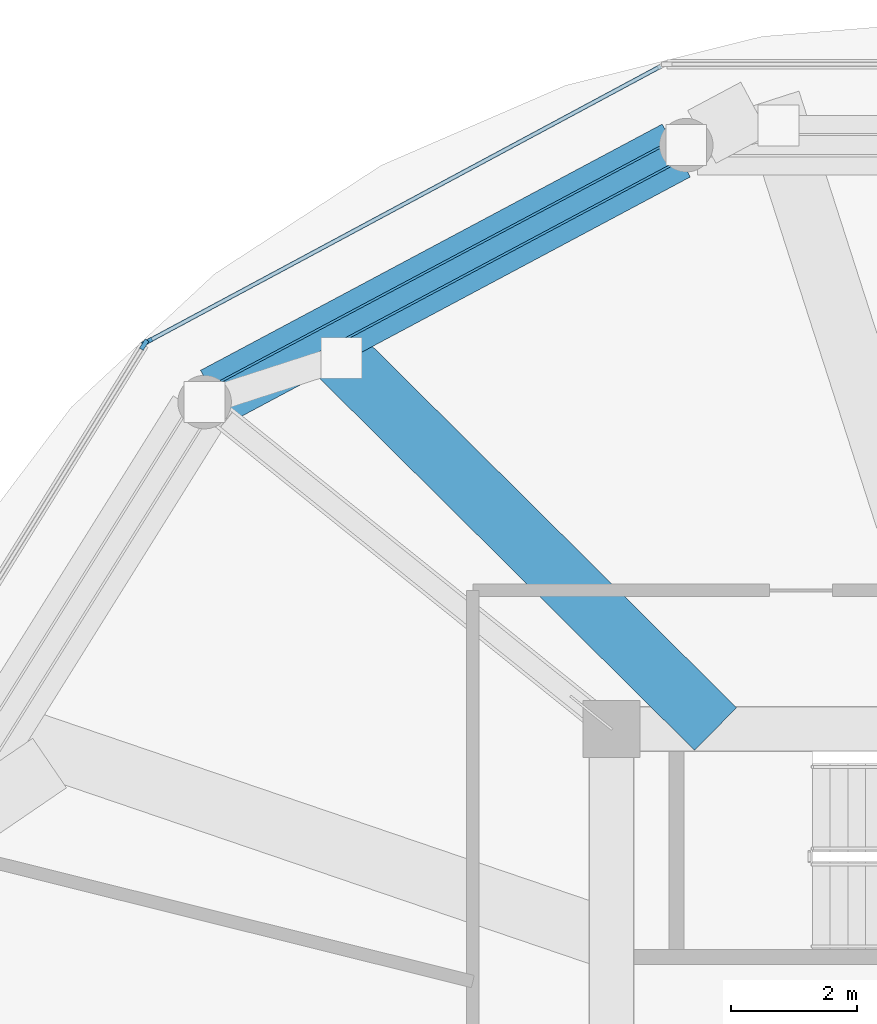
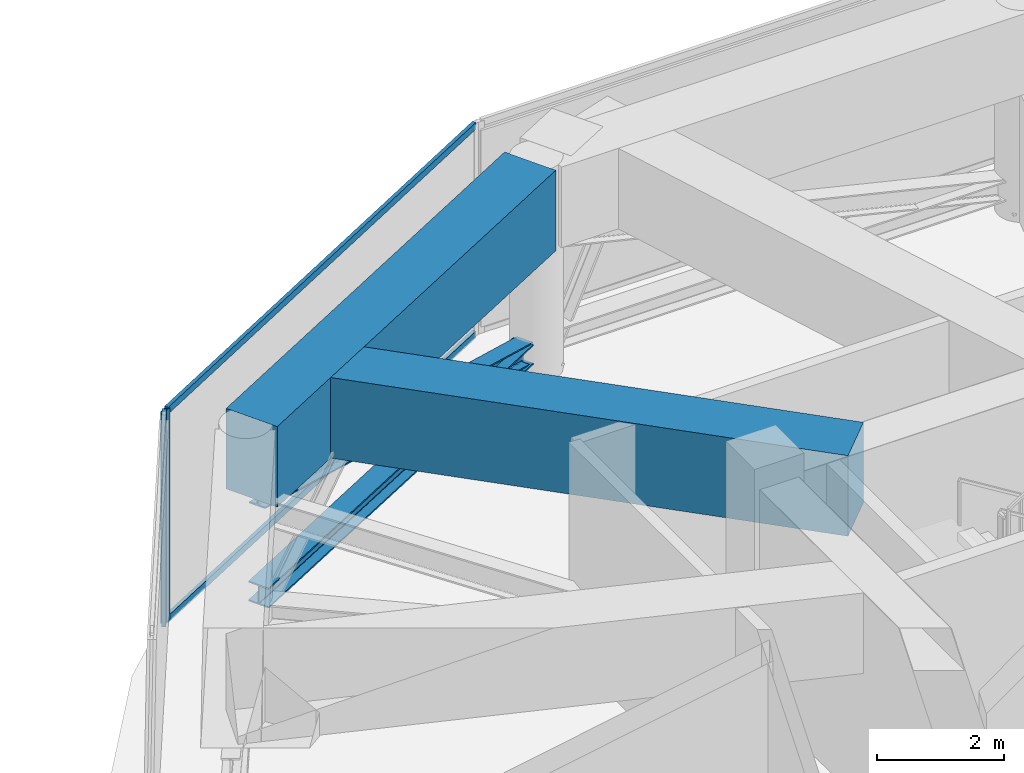
# One storey, part 8 of 23: 6 members, 2 beams, 2 elements without a shape of their own.
"""IFC4 building model written with IfcOpenShell, lengths in metres."""

from ifc_helpers import new_model, si_unit, direction, frame, origin, origin_2d, place, context, subcontext, project, spatial, rectangle, i_section, extrude, source, transform, mapped, material, layer, layer_set, material_profile, profile_set, type_object, type_shapes, element, aggregate, save


model = new_model("IFC4")

# Units and contexts
model_context = context("Model", 3, precision=1e-05, world=origin(), true_north=direction((0.0, 1.0)))
body_context = subcontext(model_context, "Body", "Model", "MODEL_VIEW")
ifc_project = project(units=[si_unit("LENGTHUNIT", "METRE"), si_unit("AREAUNIT", "SQUARE_METRE"), si_unit("VOLUMEUNIT", "CUBIC_METRE"), si_unit("PLANEANGLEUNIT", "RADIAN"), si_unit("MASSUNIT", "GRAM", prefix="KILO")], contexts=[model_context])

# Site, building, storey
site_placement = place(None, origin())
site = spatial("IfcSite", under=ifc_project, at=site_placement, CompositionType="ELEMENT")
building_placement = place(site_placement, origin())
building = spatial("IfcBuilding", under=site, at=building_placement, Name="Norrkilde Senior Care Towers", CompositionType="ELEMENT")
storey_placement = place(building_placement, frame((0.0, 0.0, 129.800048828125)))
storey = spatial("IfcBuildingStorey", under=building, at=storey_placement, Name="L40", CompositionType="ELEMENT", Elevation=129.800048828125)

# Beams
ifc_material_1 = material(Name="Concrete C60/75", Category="concrete")
ifc_material_profile_1 = material_profile(ifc_material_1, rectangle(XDim=0.949951171875, YDim=1.550048828125, at=origin_2d()), Name="RC TG 950x1550")
ifc_profile_set_1 = profile_set([ifc_material_profile_1], Name="Concrete C60/75")
beam_type = type_object("IfcBeamType", Name="Transfer Girder Zone Shift 950x1550", PredefinedType="USERDEFINED", material=ifc_profile_set_1)
shared_shape_1 = source(origin(), body_context, "Body", "SweptSolid", [
    extrude(rectangle(XDim=0.949951171875, YDim=1.550048828125, at=origin_2d()), origin(), (0.0, 0.0, 1.0), 8.302490234375),
])
beam_1_placement = place(storey_placement, frame((21.37841796875, 15.128662109375, 3.304931640625), z_axis=(-0.882355383182, -0.470583656504, 0.0), x_axis=(0.470583656504, -0.882355383182, 0.0)))
element("IfcBeam", 1, at=beam_1_placement, inside=storey, type_object=beam_type, Name="L40 Drum E Zone Ring Transfer Girder 04", ObjectType="GIRDER", PredefinedType="USERDEFINED", context=body_context, shape_type="MappedRepresentation", body=[
    mapped(shared_shape_1, transform((0.0, 0.0, 0.0), x_axis=(1.0, 0.0, 0.0), y_axis=(0.0, 1.0, 0.0), z_axis=(0.0, 0.0, 1.0), scale=1.0)),
])
shared_shape_2 = source(origin(), body_context, "Body", "SweptSolid", [
    extrude(rectangle(XDim=0.949951171875, YDim=1.550048828125, at=origin_2d()), origin(), (0.0, 0.0, 1.0), 8.783203125),
])
type_shapes(beam_type, [shared_shape_1, shared_shape_2])
beam_2_placement = place(storey_placement, frame((22.001953125, 5.949951171875, 3.304931640625), z_axis=(-0.7099501815, 0.704251900806, 0.0), x_axis=(-0.704251900806, -0.7099501815, 0.0)))
element("IfcBeam", 2, at=beam_2_placement, inside=storey, type_object=beam_type, Name="L40 Drum E Zone Transfer Girder 05", ObjectType="GIRDER", PredefinedType="USERDEFINED", context=body_context, shape_type="MappedRepresentation", body=[
    mapped(shared_shape_2, transform((0.0, 0.0, 0.0), x_axis=(1.0, 0.0, 0.0), y_axis=(0.0, 1.0, 0.0), z_axis=(0.0, 0.0, 1.0), scale=1.0)),
])

# Members
ifc_material_2 = material(Name="Steel S355", Category="steel")
ifc_material_profile_2 = material_profile(ifc_material_2, i_section(OverallWidth=0.3740234375, OverallDepth=0.386962890625, WebThickness=0.01611328125, FlangeThickness=0.027099609375, FilletRadius=0.014892578125, at=origin_2d()), Name="HD 360x262")
ifc_profile_set_2 = profile_set([ifc_material_profile_2], Name="Steel S355")
member_type_1 = type_object("IfcMemberType", Name="Belt Truss Ring Chord HD360x262", PredefinedType="CHORD", material=ifc_profile_set_2)
shared_shape_3 = source(origin(), body_context, "Body", "SweptSolid", [
    extrude(i_section(OverallWidth=0.3740234375, OverallDepth=0.386962890625, WebThickness=0.01611328125, FlangeThickness=0.027099609375, FilletRadius=0.014892578125, at=origin_2d()), origin(), (0.0, 0.0, 1.0), 7.892333984375),
])
type_shapes(member_type_1, [shared_shape_3])
member_1_placement = place(storey_placement, frame((21.197509765625, 15.0322265625, 0.550048828125), z_axis=(-0.882350372282, -0.47059305194, 0.0), x_axis=(0.47059305194, -0.882350372282, 0.0)))
element("IfcMember", 3, at=member_1_placement, inside=storey, type_object=member_type_1, Name="L40 Drum E Belt Truss Bottom Chord 04", PredefinedType="CHORD", context=body_context, shape_type="MappedRepresentation", body=[
    mapped(shared_shape_3, transform((0.0, 0.0, 0.0), x_axis=(1.0, 0.0, 0.0), y_axis=(0.0, 1.0, 0.0), z_axis=(0.0, 0.0, 1.0), scale=1.0)),
])
ifc_material_profile_3 = material_profile(ifc_material_2, i_section(OverallWidth=0.300048828125, OverallDepth=0.39990234375, WebThickness=0.013427734375, FlangeThickness=0.02392578125, FilletRadius=0.027099609375, at=origin_2d()), Name="HEB 400")
ifc_profile_set_3 = profile_set([ifc_material_profile_3], Name="Steel S355")
member_type_2 = type_object("IfcMemberType", Name="Belt Truss Diagonal HEB400", PredefinedType="BRACE", material=ifc_profile_set_3)
shared_shape_4 = source(origin(), body_context, "Body", "SweptSolid", [
    extrude(i_section(OverallWidth=0.300048828125, OverallDepth=0.39990234375, WebThickness=0.013427734375, FlangeThickness=0.02392578125, FilletRadius=0.027099609375, at=origin_2d()), origin(), (0.0, 0.0, 1.0), 8.125),
])
type_shapes(member_type_2, [shared_shape_4])
member_2_placement = place(storey_placement, frame((21.197509765625, 15.0322265625, 0.550048828125), z_axis=(-0.85709731652, -0.457124578468, 0.237531702675), x_axis=(0.47059305194, -0.882350372282, 0.0)))
element("IfcMember", 4, at=member_2_placement, inside=storey, type_object=member_type_2, Name="L40 Drum E Belt Truss Diagonal 04", PredefinedType="BRACE", context=body_context, shape_type="MappedRepresentation", body=[
    mapped(shared_shape_4, transform((0.0, 0.0, 0.0), x_axis=(1.0, 0.0, 0.0), y_axis=(0.0, 1.0, 0.0), z_axis=(0.0, 0.0, 1.0), scale=1.0)),
])

# Curtain wall, member
ifc_material_3 = material(Name="Triple Low-E Insulated Glazing", Category="glass")
ifc_layer = layer(ifc_material_3, 0.18505859375)
ifc_layer_set = layer_set([ifc_layer], Name="Triple Low-E Insulated Glazing")
curtain_wall_type = type_object("IfcCurtainWallType", Name="CW6 Zone 4 Crown Pavilion Curtain Wall", PredefinedType="NOTDEFINED", material=ifc_layer_set)
curtain_wall_1_placement = place(storey_placement, origin())
curtain_wall_1 = element("IfcCurtainWall", 5, at=curtain_wall_1_placement, inside=storey, type_object=curtain_wall_type, Name="L40 Drum E Curtain Wall 03", PredefinedType="NOTDEFINED")
ifc_material_4 = material(Name="Anodised Aluminium", Category="aluminium")
ifc_material_profile_4 = material_profile(ifc_material_4, rectangle(XDim=0.070068359375, YDim=0.169921875, at=origin_2d()), Name="ALU MULL 70x170")
ifc_profile_set_4 = profile_set([ifc_material_profile_4], Name="Anodised Aluminium")
member_type_3 = type_object("IfcMemberType", Name="Curtain Wall Mullion Heavy 70x170", PredefinedType="MULLION", material=ifc_profile_set_4)
shared_shape_5 = source(origin(), body_context, "Body", "SweptSolid", [
    extrude(rectangle(XDim=0.070068359375, YDim=0.169921875, at=origin_2d()), origin(), (0.0, 0.0, 1.0), 4.079833984375),
])
type_shapes(member_type_3, [shared_shape_5])
member_3_placement = place(storey_placement, frame((12.984130859375, 12.093994140625, 0.0), z_axis=(0.0, 0.0, 1.0), x_axis=(-0.472769402511, 0.881186184668, 0.0)))
member_3 = element("IfcMember", 6, at=member_3_placement, type_object=member_type_3, Name="CW-6 mullion 1", PredefinedType="MULLION", context=body_context, shape_type="MappedRepresentation", body=[
    mapped(shared_shape_5, transform((0.0, 0.0, 0.0), x_axis=(1.0, 0.0, 0.0), y_axis=(0.0, 1.0, 0.0), z_axis=(0.0, 0.0, 1.0), scale=1.0)),
])

curtain_wall_2_placement = place(storey_placement, origin())
curtain_wall_2 = element("IfcCurtainWall", 7, at=curtain_wall_2_placement, inside=storey, type_object=curtain_wall_type, Name="L40 Drum E Curtain Wall 04", PredefinedType="NOTDEFINED")
member_4_placement = place(storey_placement, frame((12.934814453125, 12.047607421875, 0.0), z_axis=(0.0, 0.0, 1.0), x_axis=(-0.849410171862, 0.527733228002, 0.0)))
member_4 = element("IfcMember", 8, at=member_4_placement, type_object=member_type_3, Name="CW-6 mullion 2", PredefinedType="MULLION", context=body_context, shape_type="MappedRepresentation", body=[
    mapped(shared_shape_5, transform((0.0, 0.0, 0.0), x_axis=(1.0, 0.0, 0.0), y_axis=(0.0, 1.0, 0.0), z_axis=(0.0, 0.0, 1.0), scale=1.0)),
])
aggregate(curtain_wall_2, [member_4])

# Member
ifc_material_profile_5 = material_profile(ifc_material_4, rectangle(XDim=0.06494140625, YDim=0.1298828125, at=origin_2d()), Name="ALU TRAN 65x130")
ifc_profile_set_5 = profile_set([ifc_material_profile_5], Name="Anodised Aluminium")
member_type_4 = type_object("IfcMemberType", Name="Curtain Wall Transom Heavy 65x130", PredefinedType="USERDEFINED", material=ifc_profile_set_5)
shared_shape_6 = source(origin(), body_context, "Body", "SweptSolid", [
    extrude(rectangle(XDim=0.06494140625, YDim=0.1298828125, at=origin_2d()), origin(), (0.0, 0.0, 1.0), 9.210205078125),
])
type_shapes(member_type_4, [shared_shape_6])
member_5_placement = place(storey_placement, frame((13.01513671875, 12.110595703125, 0.032470703125), z_axis=(0.881190165338, 0.472761982938, 0.0), x_axis=(-0.472761982938, 0.881190165338, 0.0)))
member_5 = element("IfcMember", 9, at=member_5_placement, type_object=member_type_4, Name="CW-6 transom 1.1", ObjectType="TRANSOM", PredefinedType="USERDEFINED", context=body_context, shape_type="MappedRepresentation", body=[
    mapped(shared_shape_6, transform((0.0, 0.0, 0.0), x_axis=(1.0, 0.0, 0.0), y_axis=(0.0, 1.0, 0.0), z_axis=(0.0, 0.0, 1.0), scale=1.0)),
])

member_6_placement = place(storey_placement, frame((13.01513671875, 12.110595703125, 4.04736328125), z_axis=(0.881190165338, 0.472761982938, 0.0), x_axis=(-0.472761982938, 0.881190165338, 0.0)))
member_6 = element("IfcMember", 10, at=member_6_placement, type_object=member_type_4, Name="CW-6 transom 1.2", ObjectType="TRANSOM", PredefinedType="USERDEFINED", context=body_context, shape_type="MappedRepresentation", body=[
    mapped(shared_shape_6, transform((0.0, 0.0, 0.0), x_axis=(1.0, 0.0, 0.0), y_axis=(0.0, 1.0, 0.0), z_axis=(0.0, 0.0, 1.0), scale=1.0)),
])

aggregate(curtain_wall_1, [member_3, member_5, member_6])

save(model, "model.ifc")
